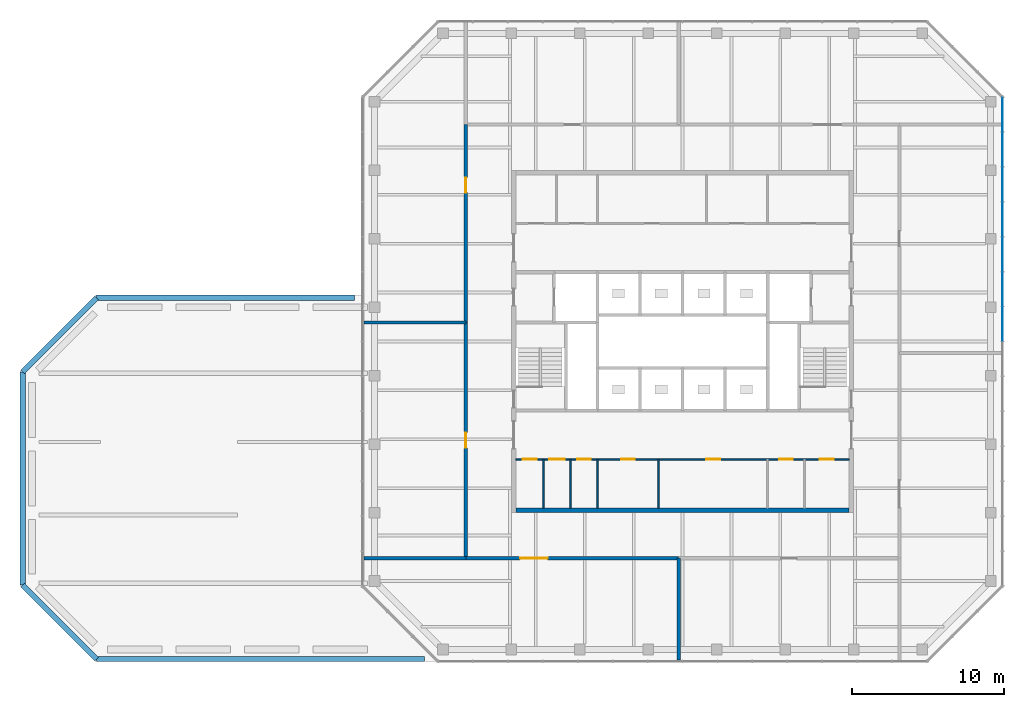
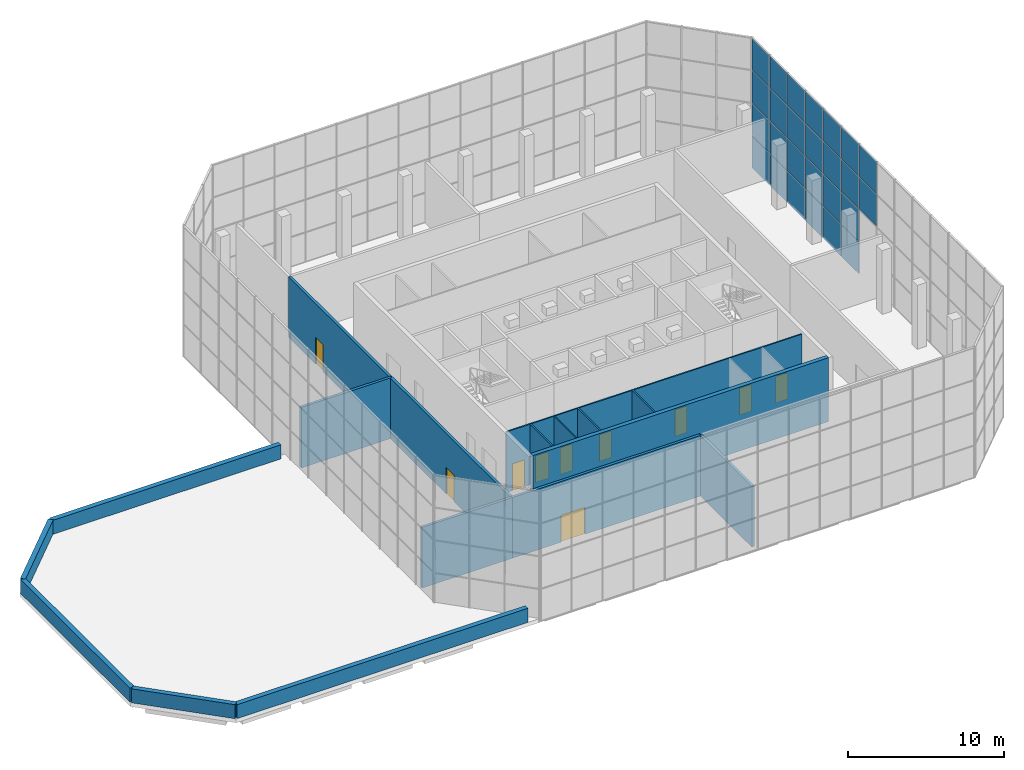
# One storey, part 16 of 19: 26 plates, 17 walls, 10 doors, 10 openings, 1 element without a shape of its own.
"""IFC4 building model written with IfcOpenShell, lengths in metres."""

from ifc_helpers import new_model, si_unit, direction, frame, frame_2d, origin, origin_2d, place, context, subcontext, project, spatial, rectangle, extrude, material, layer, layer_set, constituent, constituent_set, type_object, element, fill, aggregate, save


model = new_model("IFC4")

# Units and contexts
model_context = context("Model", 3, precision=1e-05, world=origin(), true_north=direction((0.0, 1.0)))
body_context = subcontext(model_context, "Body", "Model", "MODEL_VIEW")
ifc_project = project(units=[si_unit("LENGTHUNIT", "METRE"), si_unit("AREAUNIT", "SQUARE_METRE"), si_unit("VOLUMEUNIT", "CUBIC_METRE"), si_unit("PLANEANGLEUNIT", "RADIAN"), si_unit("MASSUNIT", "GRAM", prefix="KILO")], contexts=[model_context])

# Site, building, storey
site_placement = place(None, origin())
site = spatial("IfcSite", under=ifc_project, at=site_placement, CompositionType="ELEMENT")
building_placement = place(site_placement, origin())
building = spatial("IfcBuilding", under=site, at=building_placement, Name="Quoin Convention Tower", CompositionType="ELEMENT")
storey_placement = place(building_placement, frame((0.0, 0.0, 263.699951171875)))
storey = spatial("IfcBuildingStorey", under=building, at=storey_placement, Name="L69", CompositionType="ELEMENT", Elevation=263.699951171875)

# Curtain wall, plates
ifc_material_1 = material(Name="Aluminium", Category="aluminium")
ifc_constituent_1 = constituent(ifc_material_1, Name="Frame")
ifc_material_2 = material(Name="Insulated glass", Category="glass")
ifc_constituent_2 = constituent(ifc_material_2, Name="Glazing")
ifc_constituent_set = constituent_set(constituents=[ifc_constituent_1, ifc_constituent_2], Name="Aluminium")
curtain_wall_type = type_object("IfcCurtainWallType", Name="Lantern wall system", PredefinedType="NOTDEFINED", material=ifc_constituent_set)
curtain_wall_placement = place(storey_placement, origin())
curtain_wall = element("IfcCurtainWall", 1, at=curtain_wall_placement, inside=storey, type_object=curtain_wall_type, Name="crn-LNW-76500_45000", PredefinedType="NOTDEFINED")
ifc_layer_1 = layer(ifc_material_2, 0.048095703125)
ifc_layer_set_1 = layer_set([ifc_layer_1], Name="Insulated glass")
plate_type = type_object("IfcPlateType", Name="Lantern wall glazing unit 48", PredefinedType="CURTAIN_PANEL", material=ifc_layer_set_1)
plate_1_placement = place(storey_placement, frame((77.2900390625, 61.8984375, 4.905029296875), z_axis=(0.0, 0.0, 1.0), x_axis=(0.0, 1.0, 0.0)))
plate_1 = element("IfcPlate", 2, at=plate_1_placement, type_object=plate_type, Name="CW5 panel 8.3", PredefinedType="CURTAIN_PANEL", context=body_context, shape_type="SweptSolid", body=[
    extrude(rectangle(XDim=2.23681640625, YDim=0.048095703125, at=origin_2d()), origin(), (0.0, 0.0, 1.0), 2.50244140625),
])
plate_2_placement = place(storey_placement, frame((77.2900390625, 61.8984375, 7.4677734375), z_axis=(0.0, 0.0, 1.0), x_axis=(0.0, 1.0, 0.0)))
plate_2 = element("IfcPlate", 3, at=plate_2_placement, type_object=plate_type, Name="CW5 panel 8.4", PredefinedType="CURTAIN_PANEL", context=body_context, shape_type="SweptSolid", body=[
    extrude(rectangle(XDim=2.23681640625, YDim=0.048095703125, at=origin_2d()), origin(), (0.0, 0.0, 1.0), 2.472412109375),
])
plate_3_placement = place(storey_placement, frame((77.2900390625, 64.195068359375, -0.18994140625), z_axis=(0.0, 0.0, 1.0), x_axis=(0.0, 1.0, 0.0)))
plate_3 = element("IfcPlate", 4, at=plate_3_placement, type_object=plate_type, Name="CW5 panel 9.1", PredefinedType="CURTAIN_PANEL", context=body_context, shape_type="SweptSolid", body=[
    extrude(rectangle(XDim=2.23681640625, YDim=0.048095703125, at=origin_2d()), origin(), (0.0, 0.0, 1.0), 2.472412109375),
])
plate_4_placement = place(storey_placement, frame((77.2900390625, 64.195068359375, 2.342529296875), z_axis=(0.0, 0.0, 1.0), x_axis=(0.0, 1.0, 0.0)))
plate_4 = element("IfcPlate", 5, at=plate_4_placement, type_object=plate_type, Name="CW5 panel 9.2", PredefinedType="CURTAIN_PANEL", context=body_context, shape_type="SweptSolid", body=[
    extrude(rectangle(XDim=2.23681640625, YDim=0.048095703125, at=origin_2d()), origin(), (0.0, 0.0, 1.0), 2.50244140625),
])
plate_5_placement = place(storey_placement, frame((77.2900390625, 64.195068359375, 4.905029296875), z_axis=(0.0, 0.0, 1.0), x_axis=(0.0, 1.0, 0.0)))
plate_5 = element("IfcPlate", 6, at=plate_5_placement, type_object=plate_type, Name="CW5 panel 9.3", PredefinedType="CURTAIN_PANEL", context=body_context, shape_type="SweptSolid", body=[
    extrude(rectangle(XDim=2.23681640625, YDim=0.048095703125, at=origin_2d()), origin(), (0.0, 0.0, 1.0), 2.50244140625),
])
plate_6_placement = place(storey_placement, frame((77.2900390625, 64.195068359375, 7.4677734375), z_axis=(0.0, 0.0, 1.0), x_axis=(0.0, 1.0, 0.0)))
plate_6 = element("IfcPlate", 7, at=plate_6_placement, type_object=plate_type, Name="CW5 panel 9.4", PredefinedType="CURTAIN_PANEL", context=body_context, shape_type="SweptSolid", body=[
    extrude(rectangle(XDim=2.23681640625, YDim=0.048095703125, at=origin_2d()), origin(), (0.0, 0.0, 1.0), 2.472412109375),
])
plate_7_placement = place(storey_placement, frame((77.2900390625, 66.491943359375, -0.18994140625), z_axis=(0.0, 0.0, 1.0), x_axis=(0.0, 1.0, 0.0)))
plate_7 = element("IfcPlate", 8, at=plate_7_placement, type_object=plate_type, Name="CW5 panel 10.1", PredefinedType="CURTAIN_PANEL", context=body_context, shape_type="SweptSolid", body=[
    extrude(rectangle(XDim=2.23681640625, YDim=0.048095703125, at=origin_2d()), origin(), (0.0, 0.0, 1.0), 2.472412109375),
])
plate_8_placement = place(storey_placement, frame((77.2900390625, 66.491943359375, 2.342529296875), z_axis=(0.0, 0.0, 1.0), x_axis=(0.0, 1.0, 0.0)))
plate_8 = element("IfcPlate", 9, at=plate_8_placement, type_object=plate_type, Name="CW5 panel 10.2", PredefinedType="CURTAIN_PANEL", context=body_context, shape_type="SweptSolid", body=[
    extrude(rectangle(XDim=2.23681640625, YDim=0.048095703125, at=origin_2d()), origin(), (0.0, 0.0, 1.0), 2.50244140625),
])
plate_9_placement = place(storey_placement, frame((77.2900390625, 66.491943359375, 4.905029296875), z_axis=(0.0, 0.0, 1.0), x_axis=(0.0, 1.0, 0.0)))
plate_9 = element("IfcPlate", 10, at=plate_9_placement, type_object=plate_type, Name="CW5 panel 10.3", PredefinedType="CURTAIN_PANEL", context=body_context, shape_type="SweptSolid", body=[
    extrude(rectangle(XDim=2.23681640625, YDim=0.048095703125, at=origin_2d()), origin(), (0.0, 0.0, 1.0), 2.50244140625),
])
plate_10_placement = place(storey_placement, frame((77.2900390625, 66.491943359375, 7.4677734375), z_axis=(0.0, 0.0, 1.0), x_axis=(0.0, 1.0, 0.0)))
plate_10 = element("IfcPlate", 11, at=plate_10_placement, type_object=plate_type, Name="CW5 panel 10.4", PredefinedType="CURTAIN_PANEL", context=body_context, shape_type="SweptSolid", body=[
    extrude(rectangle(XDim=2.23681640625, YDim=0.048095703125, at=origin_2d()), origin(), (0.0, 0.0, 1.0), 2.472412109375),
])
plate_11_placement = place(storey_placement, frame((77.2900390625, 68.78857421875, -0.18994140625), z_axis=(0.0, 0.0, 1.0), x_axis=(0.0, 1.0, 0.0)))
plate_11 = element("IfcPlate", 12, at=plate_11_placement, type_object=plate_type, Name="CW5 panel 11.1", PredefinedType="CURTAIN_PANEL", context=body_context, shape_type="SweptSolid", body=[
    extrude(rectangle(XDim=2.23681640625, YDim=0.048095703125, at=origin_2d()), origin(), (0.0, 0.0, 1.0), 2.472412109375),
])
plate_12_placement = place(storey_placement, frame((77.2900390625, 68.78857421875, 2.342529296875), z_axis=(0.0, 0.0, 1.0), x_axis=(0.0, 1.0, 0.0)))
plate_12 = element("IfcPlate", 13, at=plate_12_placement, type_object=plate_type, Name="CW5 panel 11.2", PredefinedType="CURTAIN_PANEL", context=body_context, shape_type="SweptSolid", body=[
    extrude(rectangle(XDim=2.23681640625, YDim=0.048095703125, at=origin_2d()), origin(), (0.0, 0.0, 1.0), 2.50244140625),
])
plate_13_placement = place(storey_placement, frame((77.2900390625, 68.78857421875, 4.905029296875), z_axis=(0.0, 0.0, 1.0), x_axis=(0.0, 1.0, 0.0)))
plate_13 = element("IfcPlate", 14, at=plate_13_placement, type_object=plate_type, Name="CW5 panel 11.3", PredefinedType="CURTAIN_PANEL", context=body_context, shape_type="SweptSolid", body=[
    extrude(rectangle(XDim=2.23681640625, YDim=0.048095703125, at=origin_2d()), origin(), (0.0, 0.0, 1.0), 2.50244140625),
])
plate_14_placement = place(storey_placement, frame((77.2900390625, 68.78857421875, 7.4677734375), z_axis=(0.0, 0.0, 1.0), x_axis=(0.0, 1.0, 0.0)))
plate_14 = element("IfcPlate", 15, at=plate_14_placement, type_object=plate_type, Name="CW5 panel 11.4", PredefinedType="CURTAIN_PANEL", context=body_context, shape_type="SweptSolid", body=[
    extrude(rectangle(XDim=2.23681640625, YDim=0.048095703125, at=origin_2d()), origin(), (0.0, 0.0, 1.0), 2.472412109375),
])
plate_15_placement = place(storey_placement, frame((77.2900390625, 71.08544921875, -0.18994140625), z_axis=(0.0, 0.0, 1.0), x_axis=(0.0, 1.0, 0.0)))
plate_15 = element("IfcPlate", 16, at=plate_15_placement, type_object=plate_type, Name="CW5 panel 12.1", PredefinedType="CURTAIN_PANEL", context=body_context, shape_type="SweptSolid", body=[
    extrude(rectangle(XDim=2.23681640625, YDim=0.048095703125, at=origin_2d()), origin(), (0.0, 0.0, 1.0), 2.472412109375),
])
plate_16_placement = place(storey_placement, frame((77.2900390625, 71.08544921875, 2.342529296875), z_axis=(0.0, 0.0, 1.0), x_axis=(0.0, 1.0, 0.0)))
plate_16 = element("IfcPlate", 17, at=plate_16_placement, type_object=plate_type, Name="CW5 panel 12.2", PredefinedType="CURTAIN_PANEL", context=body_context, shape_type="SweptSolid", body=[
    extrude(rectangle(XDim=2.23681640625, YDim=0.048095703125, at=origin_2d()), origin(), (0.0, 0.0, 1.0), 2.50244140625),
])
plate_17_placement = place(storey_placement, frame((77.2900390625, 71.08544921875, 4.905029296875), z_axis=(0.0, 0.0, 1.0), x_axis=(0.0, 1.0, 0.0)))
plate_17 = element("IfcPlate", 18, at=plate_17_placement, type_object=plate_type, Name="CW5 panel 12.3", PredefinedType="CURTAIN_PANEL", context=body_context, shape_type="SweptSolid", body=[
    extrude(rectangle(XDim=2.23681640625, YDim=0.048095703125, at=origin_2d()), origin(), (0.0, 0.0, 1.0), 2.50244140625),
])
plate_18_placement = place(storey_placement, frame((77.2900390625, 71.08544921875, 7.4677734375), z_axis=(0.0, 0.0, 1.0), x_axis=(0.0, 1.0, 0.0)))
plate_18 = element("IfcPlate", 19, at=plate_18_placement, type_object=plate_type, Name="CW5 panel 12.4", PredefinedType="CURTAIN_PANEL", context=body_context, shape_type="SweptSolid", body=[
    extrude(rectangle(XDim=2.23681640625, YDim=0.048095703125, at=origin_2d()), origin(), (0.0, 0.0, 1.0), 2.472412109375),
])
plate_19_placement = place(storey_placement, frame((77.2900390625, 73.382080078125, -0.18994140625), z_axis=(0.0, 0.0, 1.0), x_axis=(0.0, 1.0, 0.0)))
plate_19 = element("IfcPlate", 20, at=plate_19_placement, type_object=plate_type, Name="CW5 panel 13.1", PredefinedType="CURTAIN_PANEL", context=body_context, shape_type="SweptSolid", body=[
    extrude(rectangle(XDim=2.23681640625, YDim=0.048095703125, at=origin_2d()), origin(), (0.0, 0.0, 1.0), 2.472412109375),
])
plate_20_placement = place(storey_placement, frame((77.2900390625, 73.382080078125, 2.342529296875), z_axis=(0.0, 0.0, 1.0), x_axis=(0.0, 1.0, 0.0)))
plate_20 = element("IfcPlate", 21, at=plate_20_placement, type_object=plate_type, Name="CW5 panel 13.2", PredefinedType="CURTAIN_PANEL", context=body_context, shape_type="SweptSolid", body=[
    extrude(rectangle(XDim=2.23681640625, YDim=0.048095703125, at=origin_2d()), origin(), (0.0, 0.0, 1.0), 2.50244140625),
])
plate_21_placement = place(storey_placement, frame((77.2900390625, 73.382080078125, 4.905029296875), z_axis=(0.0, 0.0, 1.0), x_axis=(0.0, 1.0, 0.0)))
plate_21 = element("IfcPlate", 22, at=plate_21_placement, type_object=plate_type, Name="CW5 panel 13.3", PredefinedType="CURTAIN_PANEL", context=body_context, shape_type="SweptSolid", body=[
    extrude(rectangle(XDim=2.23681640625, YDim=0.048095703125, at=origin_2d()), origin(), (0.0, 0.0, 1.0), 2.50244140625),
])
plate_22_placement = place(storey_placement, frame((77.2900390625, 73.382080078125, 7.4677734375), z_axis=(0.0, 0.0, 1.0), x_axis=(0.0, 1.0, 0.0)))
plate_22 = element("IfcPlate", 23, at=plate_22_placement, type_object=plate_type, Name="CW5 panel 13.4", PredefinedType="CURTAIN_PANEL", context=body_context, shape_type="SweptSolid", body=[
    extrude(rectangle(XDim=2.23681640625, YDim=0.048095703125, at=origin_2d()), origin(), (0.0, 0.0, 1.0), 2.472412109375),
])
plate_23_placement = place(storey_placement, frame((77.2900390625, 75.663818359375, -0.18994140625), z_axis=(0.0, 0.0, 1.0), x_axis=(0.0, 1.0, 0.0)))
plate_23 = element("IfcPlate", 24, at=plate_23_placement, type_object=plate_type, Name="CW5 panel 14.1", PredefinedType="CURTAIN_PANEL", context=body_context, shape_type="SweptSolid", body=[
    extrude(rectangle(XDim=2.206787109375, YDim=0.048095703125, at=origin_2d()), origin(), (0.0, 0.0, 1.0), 2.472412109375),
])
plate_24_placement = place(storey_placement, frame((77.2900390625, 75.663818359375, 2.342529296875), z_axis=(0.0, 0.0, 1.0), x_axis=(0.0, 1.0, 0.0)))
plate_24 = element("IfcPlate", 25, at=plate_24_placement, type_object=plate_type, Name="CW5 panel 14.2", PredefinedType="CURTAIN_PANEL", context=body_context, shape_type="SweptSolid", body=[
    extrude(rectangle(XDim=2.206787109375, YDim=0.048095703125, at=origin_2d()), origin(), (0.0, 0.0, 1.0), 2.50244140625),
])
plate_25_placement = place(storey_placement, frame((77.2900390625, 75.663818359375, 4.905029296875), z_axis=(0.0, 0.0, 1.0), x_axis=(0.0, 1.0, 0.0)))
plate_25 = element("IfcPlate", 26, at=plate_25_placement, type_object=plate_type, Name="CW5 panel 14.3", PredefinedType="CURTAIN_PANEL", context=body_context, shape_type="SweptSolid", body=[
    extrude(rectangle(XDim=2.206787109375, YDim=0.048095703125, at=origin_2d()), origin(), (0.0, 0.0, 1.0), 2.50244140625),
])
plate_26_placement = place(storey_placement, frame((77.2900390625, 75.663818359375, 7.4677734375), z_axis=(0.0, 0.0, 1.0), x_axis=(0.0, 1.0, 0.0)))
plate_26 = element("IfcPlate", 27, at=plate_26_placement, type_object=plate_type, Name="CW5 panel 14.4", PredefinedType="CURTAIN_PANEL", context=body_context, shape_type="SweptSolid", body=[
    extrude(rectangle(XDim=2.206787109375, YDim=0.048095703125, at=origin_2d()), origin(), (0.0, 0.0, 1.0), 2.472412109375),
])
aggregate(curtain_wall, [plate_1, plate_2, plate_3, plate_4, plate_5, plate_6, plate_7, plate_8, plate_9, plate_10, plate_11, plate_12, plate_13, plate_14, plate_15, plate_16, plate_17, plate_18, plate_19, plate_20, plate_21, plate_22, plate_23, plate_24, plate_25, plate_26])

# Wall, openings, doors
ifc_material_3 = material(Name="Plasterboard")
ifc_layer_2 = layer(ifc_material_3, 0.012451171875, Name="Finish")
ifc_material_4 = material(Name="Steel stud framing", Category="steel")
ifc_layer_3 = layer(ifc_material_4, 0.074951171875, Name="Structure")
ifc_layer_4 = layer(ifc_material_3, 0.012451171875, Name="Finish")
ifc_layer_set_2 = layer_set([ifc_layer_2, ifc_layer_3, ifc_layer_4], Name="Steel stud framing")
wall_type_1 = type_object("IfcWallType", Name="Core partition wall", PredefinedType="PARTITIONING", material=ifc_layer_set_2)
wall_1_placement = place(storey_placement, frame((45.300048828125, 53.0, 0.0), z_axis=(0.0, 0.0, 1.0), x_axis=(1.0, 0.0, 0.0)))
wall_1 = element("IfcWall", 28, at=wall_1_placement, inside=storey, type_object=wall_type_1, Name="cr-C1-L69-h3500_300", PredefinedType="PARTITIONING", context=body_context, shape_type="SweptSolid", body=[
    extrude(rectangle(XDim=21.89990234375, YDim=0.10009765625, at=frame_2d((10.949951171875, 0.0))), origin(), (0.0, 0.0, 1.0), 4.75),
])
opening_1_placement = place(wall_1_placement, frame((19.978759765625, 0.0, 0.0)))
opening_1 = element("IfcOpeningElement", 29, at=opening_1_placement, cuts=wall_1, Name="Opening DCV5-30", PredefinedType="OPENING", context=body_context, shape_type="SweptSolid", body=[
    extrude(rectangle(XDim=0.89990234375, YDim=2.10009765625, at=frame_2d((0.449951171875, 1.050048828125))), frame((0.0, 0.06005859375, 0.0), z_axis=(0.0, -1.0, 0.0), x_axis=(1.0, 0.0, 0.0)), (0.0, 0.0, 1.0), 0.1201171875),
])
opening_2_placement = place(wall_1_placement, frame((17.3037109375, 0.0, 0.0)))
opening_2 = element("IfcOpeningElement", 30, at=opening_2_placement, cuts=wall_1, Name="Opening DCV5-29", PredefinedType="OPENING", context=body_context, shape_type="SweptSolid", body=[
    extrude(rectangle(XDim=0.89990234375, YDim=2.10009765625, at=frame_2d((0.449951171875, 1.050048828125))), frame((0.0, 0.06005859375, 0.0), z_axis=(0.0, -1.0, 0.0), x_axis=(1.0, 0.0, 0.0)), (0.0, 0.0, 1.0), 0.1201171875),
])
opening_3_placement = place(wall_1_placement, frame((0.45947265625, 0.0, 0.0)))
opening_3 = element("IfcOpeningElement", 31, at=opening_3_placement, cuts=wall_1, Name="Opening DCV5-24", PredefinedType="OPENING", context=body_context, shape_type="SweptSolid", body=[
    extrude(rectangle(XDim=0.89990234375, YDim=2.10009765625, at=frame_2d((0.449951171875, 1.050048828125))), frame((0.0, 0.06005859375, 0.0), z_axis=(0.0, -1.0, 0.0), x_axis=(1.0, 0.0, 0.0)), (0.0, 0.0, 1.0), 0.1201171875),
])
opening_4_placement = place(wall_1_placement, frame((2.201904296875, 0.0, 0.0)))
opening_4 = element("IfcOpeningElement", 32, at=opening_4_placement, cuts=wall_1, Name="Opening DCV5-25", PredefinedType="OPENING", context=body_context, shape_type="SweptSolid", body=[
    extrude(rectangle(XDim=1.0, YDim=2.10009765625, at=frame_2d((0.5, 1.050048828125))), frame((0.0, 0.06005859375, 0.0), z_axis=(0.0, -1.0, 0.0), x_axis=(1.0, 0.0, 0.0)), (0.0, 0.0, 1.0), 0.1201171875),
])
opening_5_placement = place(wall_1_placement, frame((4.017333984375, 0.0, 0.0)))
opening_5 = element("IfcOpeningElement", 33, at=opening_5_placement, cuts=wall_1, Name="Opening DCV5-26", PredefinedType="OPENING", context=body_context, shape_type="SweptSolid", body=[
    extrude(rectangle(XDim=0.89990234375, YDim=2.10009765625, at=frame_2d((0.449951171875, 1.050048828125))), frame((0.0, 0.06005859375, 0.0), z_axis=(0.0, -1.0, 0.0), x_axis=(1.0, 0.0, 0.0)), (0.0, 0.0, 1.0), 0.1201171875),
])
opening_6_placement = place(wall_1_placement, frame((6.916015625, 0.0, 0.0)))
opening_6 = element("IfcOpeningElement", 34, at=opening_6_placement, cuts=wall_1, Name="Opening DCV5-27", PredefinedType="OPENING", context=body_context, shape_type="SweptSolid", body=[
    extrude(rectangle(XDim=0.89990234375, YDim=2.10009765625, at=frame_2d((0.449951171875, 1.050048828125))), frame((0.0, 0.06005859375, 0.0), z_axis=(0.0, -1.0, 0.0), x_axis=(1.0, 0.0, 0.0)), (0.0, 0.0, 1.0), 0.1201171875),
])
opening_7_placement = place(wall_1_placement, frame((12.51611328125, 0.0, 0.0)))
opening_7 = element("IfcOpeningElement", 35, at=opening_7_placement, cuts=wall_1, Name="Opening DCV5-28", PredefinedType="OPENING", context=body_context, shape_type="SweptSolid", body=[
    extrude(rectangle(XDim=0.89990234375, YDim=2.10009765625, at=frame_2d((0.449951171875, 1.050048828125))), frame((0.0, 0.06005859375, 0.0), z_axis=(0.0, -1.0, 0.0), x_axis=(1.0, 0.0, 0.0)), (0.0, 0.0, 1.0), 0.1201171875),
])
ifc_material_5 = material(Name="Steel door leaf", Category="steel")
door_type_1 = type_object("IfcDoorType", Name="Core room door 1000 x 2100", OperationType="SINGLE_SWING_LEFT", PredefinedType="DOOR", material=ifc_material_5)
door_1_placement = place(opening_4_placement, frame((1.0, 0.0, 0.0), z_axis=(0.0, 0.0, 1.0), x_axis=(-1.0, 0.0, 0.0)))
door_1 = element("IfcDoor", 36, at=door_1_placement, inside=storey, type_object=door_type_1, Name="cd-C1-L69-CSW1-lobA-CD6913", OperationType="SINGLE_SWING_LEFT", OverallHeight=2.10009765625, OverallWidth=1.0, PredefinedType="DOOR", context=body_context, shape_type="SweptSolid", body=[
    extrude(rectangle(XDim=1.0, YDim=2.10009765625, at=frame_2d((0.5, 1.050048828125))), frame((0.0, 0.02490234375, 0.0), z_axis=(0.0, -1.0, 0.0), x_axis=(1.0, 0.0, 0.0)), (0.0, 0.0, 1.0), 0.050048828125),
])
fill(opening_4, door_1)
door_type_2 = type_object("IfcDoorType", Name="Core room door 900 x 2100", OperationType="SINGLE_SWING_LEFT", PredefinedType="DOOR", material=ifc_material_5)
door_2_placement = place(opening_1_placement, frame((0.89990234375, 0.0, 0.0), z_axis=(0.0, 0.0, 1.0), x_axis=(-1.0, 0.0, 0.0)))
door_2 = element("IfcDoor", 37, at=door_2_placement, inside=storey, type_object=door_type_2, Name="cd-C1-L69-CSE0-lobA-CD6910", OperationType="SINGLE_SWING_RIGHT", OverallHeight=2.10009765625, OverallWidth=0.89990234375, PredefinedType="DOOR", context=body_context, shape_type="SweptSolid", body=[
    extrude(rectangle(XDim=0.89990234375, YDim=2.10009765625, at=frame_2d((0.449951171875, 1.050048828125))), frame((0.0, 0.02490234375, 0.0), z_axis=(0.0, -1.0, 0.0), x_axis=(1.0, 0.0, 0.0)), (0.0, 0.0, 1.0), 0.050048828125),
])
fill(opening_1, door_2)
door_3_placement = place(opening_2_placement, frame((0.89990234375, 0.0, 0.0), z_axis=(0.0, 0.0, 1.0), x_axis=(-1.0, 0.0, 0.0)))
door_3 = element("IfcDoor", 38, at=door_3_placement, inside=storey, type_object=door_type_2, Name="cd-C1-L69-CSE1-lobA-CD6911", OperationType="SINGLE_SWING_LEFT", OverallHeight=2.10009765625, OverallWidth=0.89990234375, PredefinedType="DOOR", context=body_context, shape_type="SweptSolid", body=[
    extrude(rectangle(XDim=0.89990234375, YDim=2.10009765625, at=frame_2d((0.449951171875, 1.050048828125))), frame((0.0, 0.02490234375, 0.0), z_axis=(0.0, -1.0, 0.0), x_axis=(1.0, 0.0, 0.0)), (0.0, 0.0, 1.0), 0.050048828125),
])
fill(opening_2, door_3)
door_4_placement = place(opening_3_placement, frame((0.89990234375, 0.0, 0.0), z_axis=(0.0, 0.0, 1.0), x_axis=(-1.0, 0.0, 0.0)))
door_4 = element("IfcDoor", 39, at=door_4_placement, inside=storey, type_object=door_type_2, Name="cd-C1-L69-CSW0-lobA-CD6912", OperationType="SINGLE_SWING_LEFT", OverallHeight=2.10009765625, OverallWidth=0.89990234375, PredefinedType="DOOR", context=body_context, shape_type="SweptSolid", body=[
    extrude(rectangle(XDim=0.89990234375, YDim=2.10009765625, at=frame_2d((0.449951171875, 1.050048828125))), frame((0.0, 0.02490234375, 0.0), z_axis=(0.0, -1.0, 0.0), x_axis=(1.0, 0.0, 0.0)), (0.0, 0.0, 1.0), 0.050048828125),
])
fill(opening_3, door_4)
door_5_placement = place(opening_5_placement, frame((0.89990234375, 0.0, 0.0), z_axis=(0.0, 0.0, 1.0), x_axis=(-1.0, 0.0, 0.0)))
door_5 = element("IfcDoor", 40, at=door_5_placement, inside=storey, type_object=door_type_2, Name="cd-C1-L69-CSW2-lobA-CD6914", OperationType="SINGLE_SWING_LEFT", OverallHeight=2.10009765625, OverallWidth=0.89990234375, PredefinedType="DOOR", context=body_context, shape_type="SweptSolid", body=[
    extrude(rectangle(XDim=0.89990234375, YDim=2.10009765625, at=frame_2d((0.449951171875, 1.050048828125))), frame((0.0, 0.02490234375, 0.0), z_axis=(0.0, -1.0, 0.0), x_axis=(1.0, 0.0, 0.0)), (0.0, 0.0, 1.0), 0.050048828125),
])
fill(opening_5, door_5)
door_6_placement = place(opening_6_placement, frame((0.89990234375, 0.0, 0.0), z_axis=(0.0, 0.0, 1.0), x_axis=(-1.0, 0.0, 0.0)))
door_6 = element("IfcDoor", 41, at=door_6_placement, inside=storey, type_object=door_type_2, Name="cd-C1-L69-F10-lobA-CD6915", OperationType="SINGLE_SWING_LEFT", OverallHeight=2.10009765625, OverallWidth=0.89990234375, PredefinedType="DOOR", context=body_context, shape_type="SweptSolid", body=[
    extrude(rectangle(XDim=0.89990234375, YDim=2.10009765625, at=frame_2d((0.449951171875, 1.050048828125))), frame((0.0, 0.02490234375, 0.0), z_axis=(0.0, -1.0, 0.0), x_axis=(1.0, 0.0, 0.0)), (0.0, 0.0, 1.0), 0.050048828125),
])
fill(opening_6, door_6)
door_7_placement = place(opening_7_placement, frame((0.89990234375, 0.0, 0.0), z_axis=(0.0, 0.0, 1.0), x_axis=(-1.0, 0.0, 0.0)))
door_7 = element("IfcDoor", 42, at=door_7_placement, inside=storey, type_object=door_type_2, Name="cd-C1-L69-F11-lobA-CD6916", OperationType="SINGLE_SWING_LEFT", OverallHeight=2.10009765625, OverallWidth=0.89990234375, PredefinedType="DOOR", context=body_context, shape_type="SweptSolid", body=[
    extrude(rectangle(XDim=0.89990234375, YDim=2.10009765625, at=frame_2d((0.449951171875, 1.050048828125))), frame((0.0, 0.02490234375, 0.0), z_axis=(0.0, -1.0, 0.0), x_axis=(1.0, 0.0, 0.0)), (0.0, 0.0, 1.0), 0.050048828125),
])
fill(opening_7, door_7)

# Walls
for number, where, z_axis, x_axis, name in (
    (43, (47.118896484375, 49.800048828125, 0.0), (0.0, 0.0, 1.0), (0.0, 1.0, 0.0), "cr-C1-L69-v2119_300"),
    (44, (48.884521484375, 49.800048828125, 0.0), (0.0, 0.0, 1.0), (0.0, 1.0, 0.0), "cr-C1-L69-v3884_300"),
    (45, (50.64990234375, 49.800048828125, 0.0), (0.0, 0.0, 1.0), (0.0, 1.0, 0.0), "cr-C1-L69-v5650_300"),
    (46, (54.681884765625, 49.800048828125, 0.0), (0.0, 0.0, 1.0), (0.0, 1.0, 0.0), "cr-C1-L69-v9682_300"),
):
    element("IfcWall", number, at=place(storey_placement, frame(where, z_axis=z_axis, x_axis=x_axis)), inside=storey, type_object=wall_type_1, Name=name, PredefinedType="PARTITIONING", context=body_context, shape_type="SweptSolid", body=[
        extrude(rectangle(XDim=3.199951171875, YDim=0.10009765625, at=frame_2d((1.60009765625, 0.0))), origin(), (0.0, 0.0, 1.0), 4.75),
    ])
ifc_layer_5 = layer(ifc_material_3, 0.012451171875, Name="Finish")
ifc_layer_6 = layer(ifc_material_4, 0.175048828125, Name="Structure")
ifc_layer_7 = layer(ifc_material_3, 0.012451171875, Name="Finish")
ifc_layer_set_3 = layer_set([ifc_layer_5, ifc_layer_6, ifc_layer_7], Name="Steel stud framing")
wall_type_2 = type_object("IfcWallType", Name="Plant room wall 200", PredefinedType="PARTITIONING", material=ifc_layer_set_3)
for number, where, z_axis, x_axis, name in (
    (47, (56.0, 39.800048828125, 0.0), (0.0, 0.0, 1.0), (0.0, 1.0, 0.0), "pw-L69-001"),
    (48, (35.300048828125, 46.5, 0.0), (0.0, 0.0, 1.0), (1.0, 0.0, 0.0), "pw-L69-003"),
):
    element("IfcWall", number, at=place(storey_placement, frame(where, z_axis=z_axis, x_axis=x_axis)), inside=storey, type_object=wall_type_2, Name=name, PredefinedType="PARTITIONING", context=body_context, shape_type="SweptSolid", body=[
        extrude(rectangle(XDim=6.699951171875, YDim=0.199951171875, at=frame_2d((3.35009765625, 0.0))), origin(), (0.0, 0.0, 1.0), 4.75),
    ])

# Wall, opening, door
wall_2_placement = place(storey_placement, frame((42.0, 46.5, 0.0), z_axis=(0.0, 0.0, 1.0), x_axis=(1.0, 0.0, 0.0)))
wall_2 = element("IfcWall", 49, at=wall_2_placement, inside=storey, type_object=wall_type_2, Name="pw-L69-004", PredefinedType="PARTITIONING", context=body_context, shape_type="SweptSolid", body=[
    extrude(rectangle(XDim=14.0, YDim=0.199951171875, at=frame_2d((7.0, 0.0))), origin(), (0.0, 0.0, 1.0), 4.75),
])
opening_8_placement = place(wall_2_placement, frame((3.5791015625, 0.0, 0.0)))
opening_8 = element("IfcOpeningElement", 50, at=opening_8_placement, cuts=wall_2, Name="Opening DPDC1-01", PredefinedType="OPENING", context=body_context, shape_type="SweptSolid", body=[
    extrude(rectangle(XDim=1.800048828125, YDim=2.10009765625, at=frame_2d((0.89990234375, 1.050048828125))), frame((0.0, 0.10986328125, 0.0), z_axis=(0.0, -1.0, 0.0), x_axis=(1.0, 0.0, 0.0)), (0.0, 0.0, 1.0), 0.219970703125),
])
door_type_3 = type_object("IfcDoorType", Name="Plant door pair 1800", OperationType="DOUBLE_DOOR_SINGLE_SWING", PredefinedType="DOOR", material=ifc_material_5)
door_8_placement = place(opening_8_placement, frame((1.800048828125, 0.0, 0.0), z_axis=(0.0, 0.0, 1.0), x_axis=(-1.0, 0.0, 0.0)))
door_8 = element("IfcDoor", 51, at=door_8_placement, inside=storey, type_object=door_type_3, Name="dr-L69-001", OperationType="DOUBLE_DOOR_SINGLE_SWING", OverallHeight=2.10009765625, OverallWidth=1.800048828125, PredefinedType="DOOR", context=body_context, shape_type="SweptSolid", body=[
    extrude(rectangle(XDim=1.800048828125, YDim=2.10009765625, at=frame_2d((0.89990234375, 1.050048828125))), frame((0.0, 0.02490234375, 0.0), z_axis=(0.0, -1.0, 0.0), x_axis=(1.0, 0.0, 0.0)), (0.0, 0.0, 1.0), 0.050048828125),
])
fill(opening_8, door_8)

wall_3_placement = place(storey_placement, frame((42.0, 46.5, 0.0), z_axis=(0.0, 0.0, 1.0), x_axis=(0.0, 1.0, 0.0)))
wall_3 = element("IfcWall", 52, at=wall_3_placement, inside=storey, type_object=wall_type_2, Name="pw-L69-005", PredefinedType="PARTITIONING", context=body_context, shape_type="SweptSolid", body=[
    extrude(rectangle(XDim=15.5, YDim=0.199951171875, at=frame_2d((7.75, 0.0))), origin(), (0.0, 0.0, 1.0), 4.75),
])
opening_9_placement = place(wall_3_placement, frame((7.25, 0.0, 0.0)))
opening_9 = element("IfcOpeningElement", 53, at=opening_9_placement, cuts=wall_3, Name="Opening DPDC1-02", PredefinedType="OPENING", context=body_context, shape_type="SweptSolid", body=[
    extrude(rectangle(XDim=1.0, YDim=2.10009765625, at=frame_2d((0.5, 1.050048828125))), frame((0.0, 0.10986328125, 0.0), z_axis=(0.0, -1.0, 0.0), x_axis=(1.0, 0.0, 0.0)), (0.0, 0.0, 1.0), 0.219970703125),
])
door_type_4 = type_object("IfcDoorType", Name="Plant door 1000", OperationType="SINGLE_SWING_RIGHT", PredefinedType="DOOR", material=ifc_material_5)
door_9_placement = place(opening_9_placement, origin())
door_9 = element("IfcDoor", 54, at=door_9_placement, inside=storey, type_object=door_type_4, Name="dr-L69-007", OperationType="SINGLE_SWING_RIGHT", OverallHeight=2.10009765625, OverallWidth=1.0, PredefinedType="DOOR", context=body_context, shape_type="SweptSolid", body=[
    extrude(rectangle(XDim=1.0, YDim=2.10009765625, at=frame_2d((0.5, 1.050048828125))), frame((0.0, 0.02490234375, 0.0), z_axis=(0.0, -1.0, 0.0), x_axis=(1.0, 0.0, 0.0)), (0.0, 0.0, 1.0), 0.050048828125),
])
fill(opening_9, door_9)

# Wall
wall_4_placement = place(storey_placement, frame((35.300048828125, 62.0, 0.0), z_axis=(0.0, 0.0, 1.0), x_axis=(1.0, 0.0, 0.0)))
element("IfcWall", 55, at=wall_4_placement, inside=storey, type_object=wall_type_2, Name="pw-L69-010", PredefinedType="PARTITIONING", context=body_context, shape_type="SweptSolid", body=[
    extrude(rectangle(XDim=6.699951171875, YDim=0.199951171875, at=frame_2d((3.35009765625, 0.0))), origin(), (0.0, 0.0, 1.0), 4.75),
])

# Wall, opening, door
wall_5_placement = place(storey_placement, frame((42.0, 62.0, 0.0), z_axis=(0.0, 0.0, 1.0), x_axis=(0.0, 1.0, 0.0)))
wall_5 = element("IfcWall", 56, at=wall_5_placement, inside=storey, type_object=wall_type_2, Name="pw-L69-011", PredefinedType="PARTITIONING", context=body_context, shape_type="SweptSolid", body=[
    extrude(rectangle(XDim=13.0, YDim=0.199951171875, at=frame_2d((6.5, 0.0))), origin(), (0.0, 0.0, 1.0), 4.75),
])
opening_10_placement = place(wall_5_placement, frame((8.52490234375, 0.0, 0.0)))
opening_10 = element("IfcOpeningElement", 57, at=opening_10_placement, cuts=wall_5, Name="Opening DPDC1-06", PredefinedType="OPENING", context=body_context, shape_type="SweptSolid", body=[
    extrude(rectangle(XDim=1.0, YDim=2.10009765625, at=frame_2d((0.5, 1.050048828125))), frame((0.0, 0.10986328125, 0.0), z_axis=(0.0, -1.0, 0.0), x_axis=(1.0, 0.0, 0.0)), (0.0, 0.0, 1.0), 0.219970703125),
])
door_10_placement = place(opening_10_placement, origin())
door_10 = element("IfcDoor", 58, at=door_10_placement, inside=storey, type_object=door_type_4, Name="dr-L69-008", OperationType="SINGLE_SWING_RIGHT", OverallHeight=2.10009765625, OverallWidth=1.0, PredefinedType="DOOR", context=body_context, shape_type="SweptSolid", body=[
    extrude(rectangle(XDim=1.0, YDim=2.10009765625, at=frame_2d((0.5, 1.050048828125))), frame((0.0, 0.02490234375, 0.0), z_axis=(0.0, -1.0, 0.0), x_axis=(1.0, 0.0, 0.0)), (0.0, 0.0, 1.0), 0.050048828125),
])
fill(opening_10, door_10)

# Walls
ifc_material_6 = material(Name="Concrete C40", Category="concrete")
ifc_layer_8 = layer(ifc_material_6, 0.300048828125)
ifc_layer_set_4 = layer_set([ifc_layer_8], Name="Concrete C40")
wall_type_3 = type_object("IfcWallType", Name="RC CORE WALL 300 C40", PredefinedType="SHEAR", material=ifc_layer_set_4)
wall_6_placement = place(storey_placement, frame((45.300048828125, 49.64990234375, 0.0), z_axis=(0.0, 0.0, 1.0), x_axis=(1.0, 0.0, 0.0)))
element("IfcWall", 59, at=wall_6_placement, inside=storey, type_object=wall_type_3, Name="cwl-C1-L69-S", PredefinedType="SHEAR", context=body_context, shape_type="SweptSolid", body=[
    extrude(rectangle(XDim=21.89990234375, YDim=0.300048828125, at=frame_2d((10.949951171875, 0.0))), origin(), (0.0, 0.0, 1.0), 5.0),
])
ifc_material_7 = material(Name="Brick masonry", Category="masonry")
ifc_layer_9 = layer(ifc_material_7, 0.35009765625)
ifc_layer_set_5 = layer_set([ifc_layer_9], Name="Brick masonry")
wall_type_4 = type_object("IfcWallType", Name="Upstand wall", PredefinedType="PARAPET", material=ifc_layer_set_5)
wall_7_placement = place(storey_placement, frame((17.7412109375, 39.875, 0.0), z_axis=(0.0, 0.0, 1.0), x_axis=(-0.707106781187, 0.707106781187, 0.0)))
element("IfcWall", 60, at=wall_7_placement, inside=storey, type_object=wall_type_4, Name="par-L69-00-00", PredefinedType="PARAPET", context=body_context, shape_type="SweptSolid", body=[
    extrude(rectangle(XDim=6.8818359375, YDim=0.35009765625, at=frame_2d((3.44091796875, 0.0))), origin(), (0.0, 0.0, 1.0), 1.10009765625),
])
wall_8_placement = place(storey_placement, frame((12.875, 44.7412109375, 0.0), z_axis=(0.0, 0.0, 1.0), x_axis=(0.0, 1.0, 0.0)))
element("IfcWall", 61, at=wall_8_placement, inside=storey, type_object=wall_type_4, Name="par-L69-00-01", PredefinedType="PARAPET", context=body_context, shape_type="SweptSolid", body=[
    extrude(rectangle(XDim=14.017578125, YDim=0.35009765625, at=frame_2d((7.0087890625, 0.0))), origin(), (0.0, 0.0, 1.0), 1.10009765625),
])
wall_9_placement = place(storey_placement, frame((12.875, 58.7587890625, 0.0), z_axis=(0.0, 0.0, 1.0), x_axis=(0.707106781187, 0.707106781187, 0.0)))
element("IfcWall", 62, at=wall_9_placement, inside=storey, type_object=wall_type_4, Name="par-L69-00-02", PredefinedType="PARAPET", context=body_context, shape_type="SweptSolid", body=[
    extrude(rectangle(XDim=6.8818359375, YDim=0.35009765625, at=frame_2d((3.44091796875, 0.0))), origin(), (0.0, 0.0, 1.0), 1.10009765625),
])
wall_10_placement = place(storey_placement, frame((17.7412109375, 63.625, 0.0), z_axis=(0.0, 0.0, 1.0), x_axis=(1.0, 0.0, 0.0)))
element("IfcWall", 63, at=wall_10_placement, inside=storey, type_object=wall_type_4, Name="par-L69-00-03", PredefinedType="PARAPET", context=body_context, shape_type="SweptSolid", body=[
    extrude(rectangle(XDim=16.958740234375, YDim=0.35009765625, at=frame_2d((8.4794921875, 0.0))), origin(), (0.0, 0.0, 1.0), 1.10009765625),
])
wall_11_placement = place(storey_placement, frame((39.28662109375, 39.875, 0.0), z_axis=(0.0, 0.0, 1.0), x_axis=(-1.0, 0.0, 0.0)))
element("IfcWall", 64, at=wall_11_placement, inside=storey, type_object=wall_type_4, Name="par-L69-01-00", PredefinedType="PARAPET", context=body_context, shape_type="SweptSolid", body=[
    extrude(rectangle(XDim=21.54541015625, YDim=0.35009765625, at=frame_2d((10.772705078125, 0.0))), origin(), (0.0, 0.0, 1.0), 1.10009765625),
])

save(model, "model.ifc")
